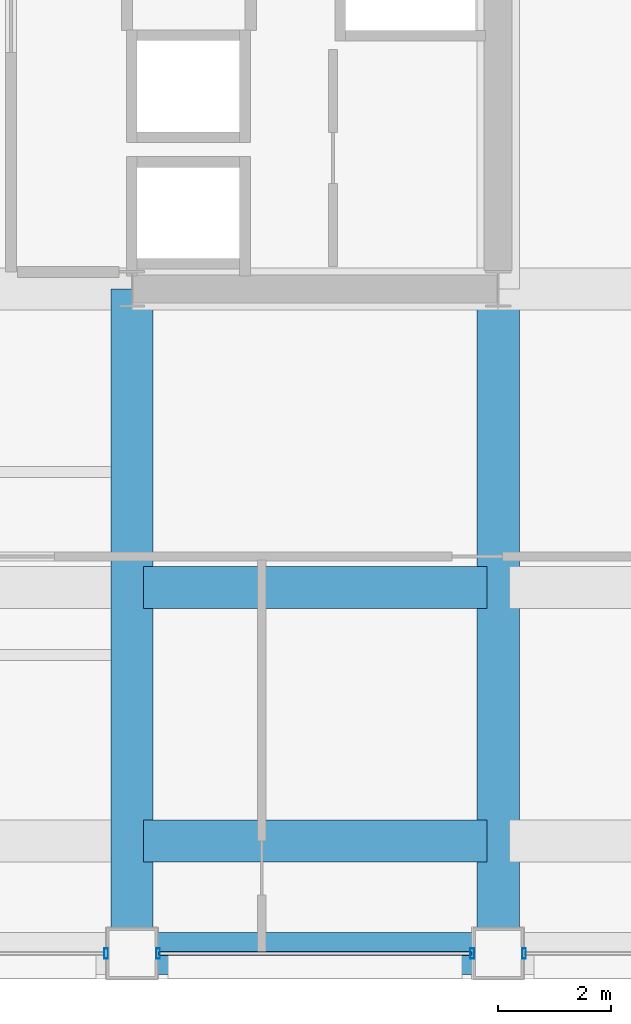
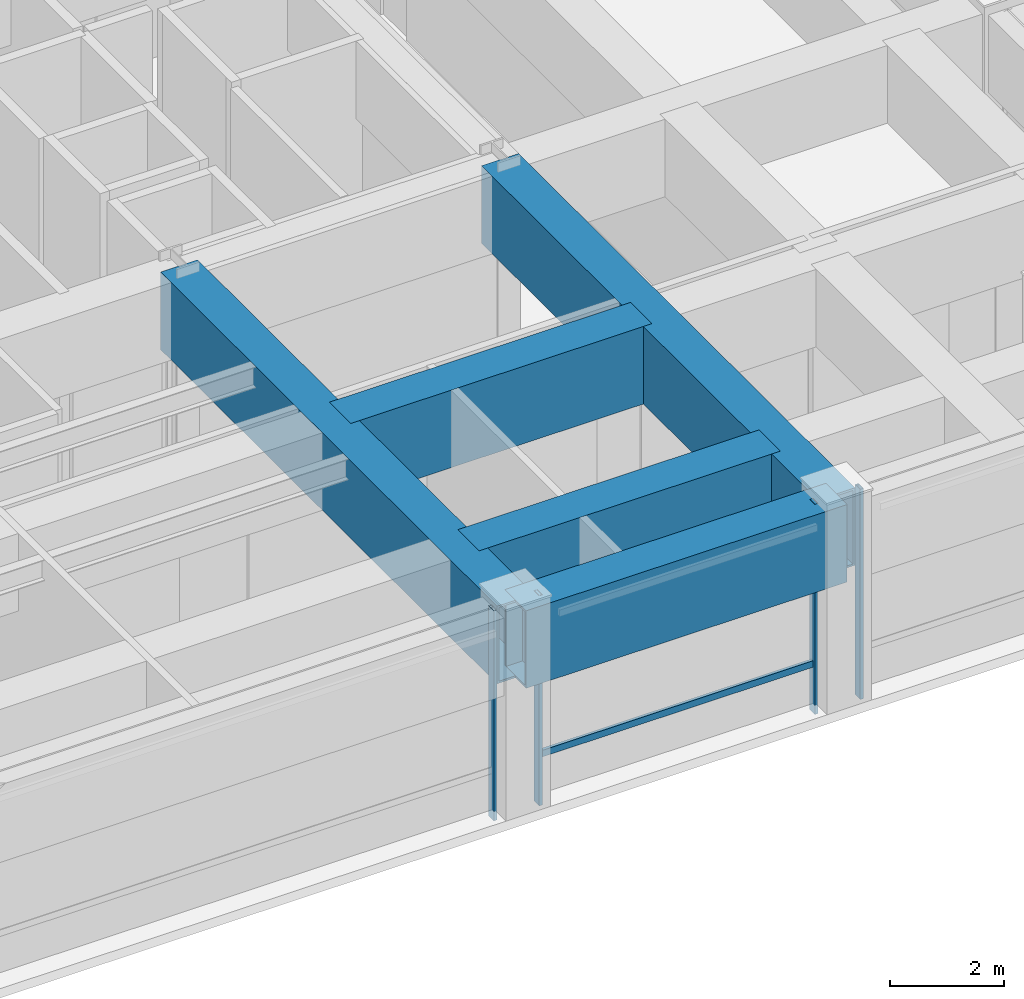
# One storey, part 11 of 29: 5 beams, 5 members, 3 elements without a shape of their own.
"""IFC4 building model written with IfcOpenShell, lengths in metres."""

from ifc_helpers import new_model, si_unit, direction, frame, origin, origin_2d, place, context, subcontext, project, spatial, hollow_rectangle, extrude, material, layer, layer_set, material_profile, profile_set, type_object, element, aggregate, save


model = new_model("IFC4")

# Units and contexts
model_context = context("Model", 3, precision=1e-05, world=origin(), true_north=direction((0.0, 1.0)))
body_context = subcontext(model_context, "Body", "Model", "MODEL_VIEW")
ifc_project = project(units=[si_unit("LENGTHUNIT", "METRE"), si_unit("AREAUNIT", "SQUARE_METRE"), si_unit("VOLUMEUNIT", "CUBIC_METRE"), si_unit("PLANEANGLEUNIT", "RADIAN"), si_unit("MASSUNIT", "GRAM", prefix="KILO")], contexts=[model_context])

# Site, building, storey
site_placement = place(None, origin())
site = spatial("IfcSite", under=ifc_project, at=site_placement, CompositionType="ELEMENT")
building_placement = place(site_placement, origin())
building = spatial("IfcBuilding", under=site, at=building_placement, Name="Brelmoor Portico Tower", CompositionType="ELEMENT")
storey_placement = place(building_placement, frame((0.0, 0.0, 82.800048828125)))
storey = spatial("IfcBuildingStorey", under=building, at=storey_placement, Name="L21", CompositionType="ELEMENT", Elevation=82.800048828125)

# Beams
ifc_material_1 = material(Name="Steel Q355B", Category="steel")
ifc_material_profile_1 = material_profile(ifc_material_1, hollow_rectangle(XDim=0.75, YDim=1.659912109375, WallThickness=0.0419921875, at=origin_2d()), Name="BOX 750x1660x42")
ifc_profile_set_1 = profile_set([ifc_material_profile_1], Name="Steel Q355B")
beam_type = type_object("IfcBeamType", Name="BM-TG-Z2", PredefinedType="BEAM", material=ifc_profile_set_1)
beam_placement = place(storey_placement, frame((8.050048828125, -21.550048828125, 3.469970703125), z_axis=(1.0, 0.0, 0.0), x_axis=(0.0, 1.0, 0.0)))
element("IfcBeam", 1, at=beam_placement, inside=storey, type_object=beam_type, Name="L21 Perimeter Transfer Beam SP-04", PredefinedType="BEAM", context=body_context, shape_type="SweptSolid", body=[
    extrude(hollow_rectangle(XDim=0.75, YDim=1.659912109375, WallThickness=0.0419921875, at=origin_2d()), origin(), (0.0, 0.0, 1.0), 6.5),
])
for number, where, z_axis, x_axis, name in (
    (2, (8.050048828125, -21.550048828125, 3.469970703125), (0.0, 1.0, 0.0), (-1.0, 0.0, 0.0), "L21 Setback Transfer Girder PG-09"),
    (3, (14.550048828125, -21.550048828125, 3.469970703125), (0.0, 1.0, 0.0), (-1.0, 0.0, 0.0), "L21 Setback Transfer Girder PG-11"),
):
    element("IfcBeam", number, at=place(storey_placement, frame(where, z_axis=z_axis, x_axis=x_axis)), inside=storey, type_object=beam_type, Name=name, PredefinedType="BEAM", context=body_context, shape_type="SweptSolid", body=[
        extrude(hollow_rectangle(XDim=0.75, YDim=1.659912109375, WallThickness=0.0419921875, at=origin_2d()), origin(), (0.0, 0.0, 1.0), 11.800048828125),
    ])
for number, where, z_axis, x_axis, name in (
    (4, (8.25, -19.550048828125, 3.469970703125), (1.0, 0.0, 0.0), (0.0, 1.0, 0.0), "L21 Setback Transfer Girder TGN-04"),
    (5, (8.25, -15.050048828125, 3.469970703125), (1.0, 0.0, 0.0), (0.0, 1.0, 0.0), "L21 Setback Transfer Girder TGN-14"),
):
    element("IfcBeam", number, at=place(storey_placement, frame(where, z_axis=z_axis, x_axis=x_axis)), inside=storey, type_object=beam_type, Name=name, PredefinedType="BEAM", context=body_context, shape_type="SweptSolid", body=[
        extrude(hollow_rectangle(XDim=0.75, YDim=1.659912109375, WallThickness=0.0419921875, at=origin_2d()), origin(), (0.0, 0.0, 1.0), 6.10009765625),
    ])

# Curtain wall, member
ifc_material_2 = material(Name="Anodised Aluminium Alloy 6063-T6", Category="aluminium")
ifc_layer = layer(ifc_material_2, 0.179931640625)
ifc_layer_set = layer_set([ifc_layer], Name="Anodised Aluminium Alloy 6063-T6")
curtain_wall_type = type_object("IfcCurtainWallType", Name="CW-TOWER-Z1", PredefinedType="NOTDEFINED", material=ifc_layer_set)
curtain_wall_1_placement = place(storey_placement, origin())
curtain_wall_1 = element("IfcCurtainWall", 6, at=curtain_wall_1_placement, inside=storey, type_object=curtain_wall_type, Name="L21 Curtain Wall CW-L21-01-3", PredefinedType="NOTDEFINED")
ifc_material_profile_2 = material_profile(ifc_material_2, hollow_rectangle(XDim=0.06494140625, YDim=0.179931640625, WallThickness=0.00390625, at=origin_2d()), Name="ALU MULLION 65x180")
ifc_profile_set_2 = profile_set([ifc_material_profile_2], Name="Anodised Aluminium Alloy 6063-T6")
member_type_1 = type_object("IfcMemberType", Name="MB-CW-MULL-180", PredefinedType="MULLION", material=ifc_profile_set_2)
member_1_placement = place(storey_placement, frame((7.590087890625, -21.550048828125, -0.199951171875), z_axis=(0.0, 0.0, 1.0), x_axis=(1.0, 0.0, 0.0)))
member_1 = element("IfcMember", 7, at=member_1_placement, type_object=member_type_1, Name="CW-L21-01-3 Mullion 01", PredefinedType="MULLION", context=body_context, shape_type="SweptSolid", body=[
    extrude(hollow_rectangle(XDim=0.06494140625, YDim=0.179931640625, WallThickness=0.00390625, at=origin_2d()), origin(), (0.0, 0.0, 1.0), 4.5),
])
aggregate(curtain_wall_1, [member_1])

# Curtain wall, members
curtain_wall_2_placement = place(storey_placement, origin())
curtain_wall_2 = element("IfcCurtainWall", 8, at=curtain_wall_2_placement, inside=storey, type_object=curtain_wall_type, Name="L21 Curtain Wall CW-L21-01-4", PredefinedType="NOTDEFINED")
member_2_placement = place(storey_placement, frame((8.510009765625, -21.550048828125, -0.199951171875), z_axis=(0.0, 0.0, 1.0), x_axis=(1.0, 0.0, 0.0)))
member_2 = element("IfcMember", 9, at=member_2_placement, type_object=member_type_1, Name="CW-L21-01-4 Mullion 00", PredefinedType="MULLION", context=body_context, shape_type="SweptSolid", body=[
    extrude(hollow_rectangle(XDim=0.06494140625, YDim=0.179931640625, WallThickness=0.00390625, at=origin_2d()), origin(), (0.0, 0.0, 1.0), 4.5),
])
member_3_placement = place(storey_placement, frame((14.090087890625, -21.550048828125, -0.199951171875), z_axis=(0.0, 0.0, 1.0), x_axis=(1.0, 0.0, 0.0)))
member_3 = element("IfcMember", 10, at=member_3_placement, type_object=member_type_1, Name="CW-L21-01-4 Mullion 01", PredefinedType="MULLION", context=body_context, shape_type="SweptSolid", body=[
    extrude(hollow_rectangle(XDim=0.06494140625, YDim=0.179931640625, WallThickness=0.00390625, at=origin_2d()), origin(), (0.0, 0.0, 1.0), 4.5),
])

# Curtain wall, member
curtain_wall_3_placement = place(storey_placement, origin())
curtain_wall_3 = element("IfcCurtainWall", 11, at=curtain_wall_3_placement, inside=storey, type_object=curtain_wall_type, Name="L21 Curtain Wall CW-L21-01-5", PredefinedType="NOTDEFINED")
member_4_placement = place(storey_placement, frame((15.010009765625, -21.550048828125, -0.199951171875), z_axis=(0.0, 0.0, 1.0), x_axis=(1.0, 0.0, 0.0)))
member_4 = element("IfcMember", 12, at=member_4_placement, type_object=member_type_1, Name="CW-L21-01-5 Mullion 00", PredefinedType="MULLION", context=body_context, shape_type="SweptSolid", body=[
    extrude(hollow_rectangle(XDim=0.06494140625, YDim=0.179931640625, WallThickness=0.00390625, at=origin_2d()), origin(), (0.0, 0.0, 1.0), 4.5),
])
aggregate(curtain_wall_3, [member_4])

# Member
ifc_material_profile_3 = material_profile(ifc_material_2, hollow_rectangle(XDim=0.06494140625, YDim=0.139892578125, WallThickness=0.00390625, at=origin_2d()), Name="ALU TRANSOM 65x140")
ifc_profile_set_3 = profile_set([ifc_material_profile_3], Name="Anodised Aluminium Alloy 6063-T6")
member_type_2 = type_object("IfcMemberType", Name="MB-CW-TRAN-140", PredefinedType="USERDEFINED", material=ifc_profile_set_3)
member_5_placement = place(storey_placement, frame((8.510009765625, -21.550048828125, 0.849853515625), z_axis=(1.0, 0.0, 0.0), x_axis=(0.0, 1.0, 0.0)))
member_5 = element("IfcMember", 13, at=member_5_placement, type_object=member_type_2, Name="CW-L21-01-4 Transom 1-00", ObjectType="TRANSOM", PredefinedType="USERDEFINED", context=body_context, shape_type="SweptSolid", body=[
    extrude(hollow_rectangle(XDim=0.06494140625, YDim=0.139892578125, WallThickness=0.00390625, at=origin_2d()), origin(), (0.0, 0.0, 1.0), 5.580078125),
])

aggregate(curtain_wall_2, [member_2, member_3, member_5])

save(model, "model.ifc")
